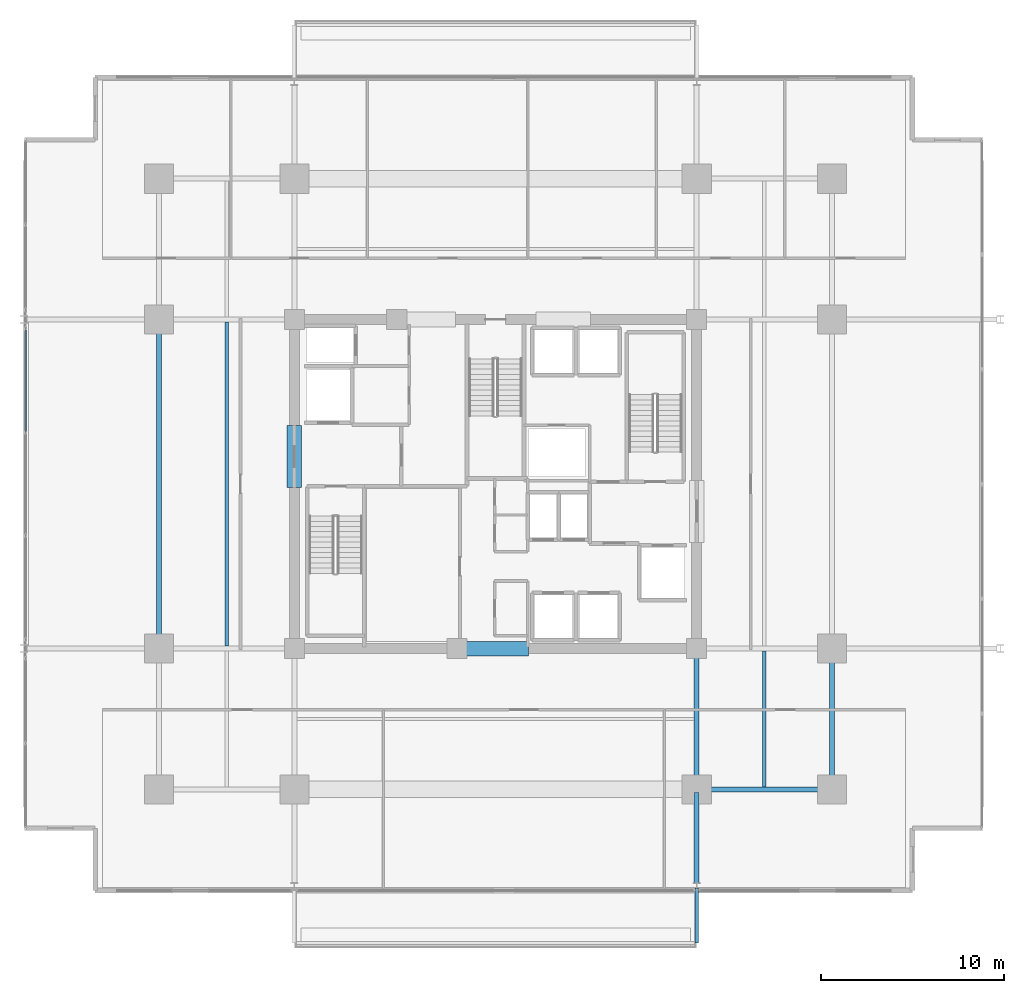
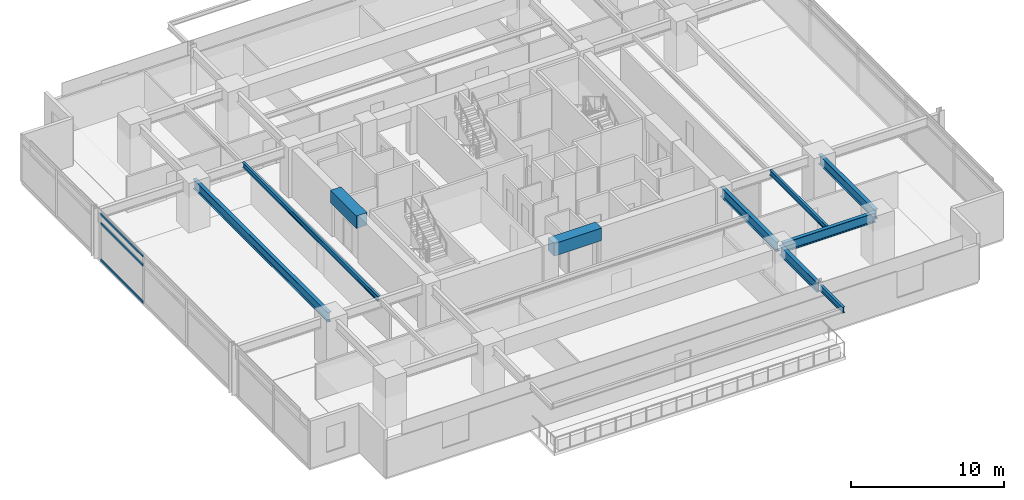
# One storey, part 6 of 21: 10 beams, 3 members, 1 element without a shape of its own.
"""IFC4 building model written with IfcOpenShell, lengths in metres."""

from ifc_helpers import new_model, si_unit, direction, frame, origin, origin_2d, place, context, subcontext, project, spatial, rectangle, hollow_rectangle, i_section, extrude, material, material_profile, profile_set, type_object, element, aggregate, save


model = new_model("IFC4")

# Units and contexts
model_context = context("Model", 3, precision=1e-05, world=origin(), true_north=direction((0.0, 1.0)))
body_context = subcontext(model_context, "Body", "Model", "MODEL_VIEW")
ifc_project = project(units=[si_unit("LENGTHUNIT", "METRE"), si_unit("AREAUNIT", "SQUARE_METRE"), si_unit("VOLUMEUNIT", "CUBIC_METRE"), si_unit("PLANEANGLEUNIT", "RADIAN"), si_unit("MASSUNIT", "GRAM", prefix="KILO")], contexts=[model_context])

# Site, building, storey
site_placement = place(None, origin())
site = spatial("IfcSite", under=ifc_project, at=site_placement, CompositionType="ELEMENT")
building_placement = place(site_placement, origin())
building = spatial("IfcBuilding", under=site, at=building_placement, Name="Kovane Verandah Tower", CompositionType="ELEMENT")
storey_placement = place(building_placement, frame((0.0, 0.0, 152.39990234375)))
storey = spatial("IfcBuildingStorey", under=building, at=storey_placement, Name="L35", CompositionType="ELEMENT", Elevation=152.39990234375)

# Beams
ifc_material_1 = material(Name="Concrete C60/75", Category="concrete")
ifc_material_profile_1 = material_profile(ifc_material_1, rectangle(XDim=0.800048828125, YDim=1.0, at=origin_2d()), Name="RCB800x1000")
ifc_profile_set_1 = profile_set([ifc_material_profile_1], Name="Concrete C60/75")
beam_type_1 = type_object("IfcBeamType", Name="BM-LINTEL-800x1000", PredefinedType="LINTEL", material=ifc_profile_set_1)
beam_1_placement = place(storey_placement, frame((38.199951171875, 18.5, 3.275146484375), z_axis=(1.0, 0.0, 0.0), x_axis=(0.0, 1.0, 0.0)))
element("IfcBeam", 1, at=beam_1_placement, inside=storey, type_object=beam_type_1, Name="L35 Core Coupling Lintel CL-S", PredefinedType="LINTEL", context=body_context, shape_type="SweptSolid", body=[
    extrude(rectangle(XDim=0.800048828125, YDim=1.0, at=origin_2d()), origin(), (0.0, 0.0, 1.0), 3.60009765625),
])
beam_2_placement = place(storey_placement, frame((29.0, 27.300048828125, 3.275146484375), z_axis=(0.0, 1.0, 0.0), x_axis=(-1.0, 0.0, 0.0)))
element("IfcBeam", 2, at=beam_2_placement, inside=storey, type_object=beam_type_1, Name="L35 Core Coupling Lintel CL-W", PredefinedType="LINTEL", context=body_context, shape_type="SweptSolid", body=[
    extrude(rectangle(XDim=0.800048828125, YDim=1.0, at=origin_2d()), origin(), (0.0, 0.0, 1.0), 3.39990234375),
])
ifc_material_2 = material(Name="Steel S355", Category="steel")
ifc_material_profile_2 = material_profile(ifc_material_2, i_section(OverallWidth=0.26806640625, OverallDepth=0.769775390625, WebThickness=0.015625, FlangeThickness=0.025390625, FilletRadius=0.0166015625, at=origin_2d()), Name="UB762x267x197")
ifc_profile_set_2 = profile_set([ifc_material_profile_2], Name="Steel S355")
beam_type_2 = type_object("IfcBeamType", Name="BM-UB762x197", PredefinedType="BEAM", material=ifc_profile_set_2)
beam_3_placement = place(storey_placement, frame((51.179931640625, 10.800048828125, 3.39013671875), z_axis=(1.0, 0.0, 0.0), x_axis=(0.0, 1.0, 0.0)))
element("IfcBeam", 3, at=beam_3_placement, inside=storey, type_object=beam_type_2, Name="L35 Primary Tower Girder G-RS3", PredefinedType="BEAM", context=body_context, shape_type="SweptSolid", body=[
    extrude(i_section(OverallWidth=0.26806640625, OverallDepth=0.769775390625, WebThickness=0.015625, FlangeThickness=0.025390625, FilletRadius=0.0166015625, at=origin_2d()), origin(), (0.0, 0.0, 1.0), 7.0400390625),
])
beam_4_placement = place(storey_placement, frame((21.60009765625, 18.679931640625, 3.39013671875), z_axis=(0.0, 1.0, 0.0), x_axis=(-1.0, 0.0, 0.0)))
element("IfcBeam", 4, at=beam_4_placement, inside=storey, type_object=beam_type_2, Name="L35 Primary Tower Girder G-RW2", PredefinedType="BEAM", context=body_context, shape_type="SweptSolid", body=[
    extrude(i_section(OverallWidth=0.26806640625, OverallDepth=0.769775390625, WebThickness=0.015625, FlangeThickness=0.025390625, FilletRadius=0.0166015625, at=origin_2d()), origin(), (0.0, 0.0, 1.0), 17.64013671875),
])
for number, where, z_axis, x_axis, name in (
    (5, (58.39990234375, 10.97998046875, 3.39013671875), (0.0, 1.0, 0.0), (-1.0, 0.0, 0.0), "L35 Primary Tower Girder G-RE1"),
    (6, (51.0, 18.320068359375, 3.39013671875), (0.0, -1.0, 0.0), (1.0, 0.0, 0.0), "L35 Primary Tower Girder G-S2"),
):
    element("IfcBeam", number, at=place(storey_placement, frame(where, z_axis=z_axis, x_axis=x_axis)), inside=storey, type_object=beam_type_2, Name=name, PredefinedType="BEAM", context=body_context, shape_type="SweptSolid", body=[
        extrude(i_section(OverallWidth=0.26806640625, OverallDepth=0.769775390625, WebThickness=0.015625, FlangeThickness=0.025390625, FilletRadius=0.0166015625, at=origin_2d()), origin(), (0.0, 0.0, 1.0), 7.340087890625),
    ])
beam_5_placement = place(storey_placement, frame((51.0, 10.6201171875, 3.375244140625), z_axis=(0.0, -1.0, 0.0), x_axis=(1.0, 0.0, 0.0)))
element("IfcBeam", 7, at=beam_5_placement, inside=storey, type_object=beam_type_2, Name="L35 Primary Tower Girder G-VS2", PredefinedType="BEAM", context=body_context, shape_type="SweptSolid", body=[
    extrude(i_section(OverallWidth=0.26806640625, OverallDepth=0.769775390625, WebThickness=0.015625, FlangeThickness=0.025390625, FilletRadius=0.0166015625, at=origin_2d()), origin(), (0.0, 0.0, 1.0), 4.940185546875),
])

# Curtain wall, members
ifc_material_3 = material(Name="Champagne Anodised Aluminium Frame with Low-E Clear Laminated Glass", Category="aluminium")
curtain_wall_type = type_object("IfcCurtainWallType", Name="CW-SYS-03-MID", PredefinedType="NOTDEFINED", material=ifc_material_3)
curtain_wall_placement = place(storey_placement, origin())
curtain_wall = element("IfcCurtainWall", 8, at=curtain_wall_placement, inside=storey, type_object=curtain_wall_type, Name="L35 W Unitised Curtain Wall-2", PredefinedType="NOTDEFINED")
ifc_material_4 = material(Name="Champagne Anodised Aluminium 6063-T6", Category="aluminium")
ifc_material_profile_3 = material_profile(ifc_material_4, hollow_rectangle(XDim=0.0849609375, YDim=0.18994140625, WallThickness=0.00390625, at=origin_2d()), Name="AL85x190x4")
ifc_profile_set_3 = profile_set([ifc_material_profile_3], Name="Champagne Anodised Aluminium 6063-T6")
member_type = type_object("IfcMemberType", Name="CW-TRN-85x190", PredefinedType="USERDEFINED", material=ifc_profile_set_3)
member_1_placement = place(storey_placement, frame((14.303955078125, 35.929931640625, 0.050048828125), z_axis=(0.0, -1.0, 0.0), x_axis=(1.0, 0.0, 0.0)))
member_1 = element("IfcMember", 9, at=member_1_placement, type_object=member_type, Name="L35 W Unitised Curtain Wall-2 Transom TB Bay 1", ObjectType="TRANSOM", PredefinedType="USERDEFINED", context=body_context, shape_type="SweptSolid", body=[
    extrude(hollow_rectangle(XDim=0.0849609375, YDim=0.18994140625, WallThickness=0.00390625, at=origin_2d()), origin(), (0.0, 0.0, 1.0), 5.55322265625),
])
member_2_placement = place(storey_placement, frame((14.303955078125, 35.929931640625, 2.9951171875), z_axis=(0.0, -1.0, 0.0), x_axis=(1.0, 0.0, 0.0)))
member_2 = element("IfcMember", 10, at=member_2_placement, type_object=member_type, Name="L35 W Unitised Curtain Wall-2 Transom TM Bay 1", ObjectType="TRANSOM", PredefinedType="USERDEFINED", context=body_context, shape_type="SweptSolid", body=[
    extrude(hollow_rectangle(XDim=0.0849609375, YDim=0.18994140625, WallThickness=0.00390625, at=origin_2d()), origin(), (0.0, 0.0, 1.0), 5.55322265625),
])
member_3_placement = place(storey_placement, frame((14.303955078125, 35.929931640625, 3.72509765625), z_axis=(0.0, -1.0, 0.0), x_axis=(1.0, 0.0, 0.0)))
member_3 = element("IfcMember", 11, at=member_3_placement, type_object=member_type, Name="L35 W Unitised Curtain Wall-2 Transom TT Bay 1", ObjectType="TRANSOM", PredefinedType="USERDEFINED", context=body_context, shape_type="SweptSolid", body=[
    extrude(hollow_rectangle(XDim=0.0849609375, YDim=0.18994140625, WallThickness=0.00390625, at=origin_2d()), origin(), (0.0, 0.0, 1.0), 5.55322265625),
])
aggregate(curtain_wall, [member_1, member_2, member_3])

# Beams
ifc_material_profile_4 = material_profile(ifc_material_2, i_section(OverallWidth=0.179443359375, OverallDepth=0.412841796875, WebThickness=0.009521484375, FlangeThickness=0.01611328125, FilletRadius=0.01025390625, at=origin_2d()), Name="UB406x178x74")
ifc_profile_set_4 = profile_set([ifc_material_profile_4], Name="Steel S355")
beam_type_3 = type_object("IfcBeamType", Name="JST-UB406x74", PredefinedType="JOIST", material=ifc_profile_set_4)
beam_6_placement = place(storey_placement, frame((25.300048828125, 18.632080078125, 3.568603515625), z_axis=(0.0, 1.0, 0.0), x_axis=(-1.0, 0.0, 0.0)))
element("IfcBeam", 12, at=beam_6_placement, inside=storey, type_object=beam_type_3, Name="L35 Secondary Composite Joist J-W1", PredefinedType="JOIST", context=body_context, shape_type="SweptSolid", body=[
    extrude(i_section(OverallWidth=0.179443359375, OverallDepth=0.412841796875, WebThickness=0.009521484375, FlangeThickness=0.01611328125, FilletRadius=0.01025390625, at=origin_2d()), origin(), (0.0, 0.0, 1.0), 17.73583984375),
])
beam_7_placement = place(storey_placement, frame((54.699951171875, 10.931884765625, 3.568603515625), z_axis=(0.0, 1.0, 0.0), x_axis=(-1.0, 0.0, 0.0)))
element("IfcBeam", 13, at=beam_7_placement, inside=storey, type_object=beam_type_3, Name="L35 Secondary Composite Joist J-SE1", PredefinedType="JOIST", context=body_context, shape_type="SweptSolid", body=[
    extrude(i_section(OverallWidth=0.179443359375, OverallDepth=0.412841796875, WebThickness=0.009521484375, FlangeThickness=0.01611328125, FilletRadius=0.01025390625, at=origin_2d()), origin(), (0.0, 0.0, 1.0), 7.43603515625),
])
ifc_material_profile_5 = material_profile(ifc_material_2, i_section(OverallWidth=0.19287109375, OverallDepth=0.46728515625, WebThickness=0.011474609375, FlangeThickness=0.01953125, FilletRadius=0.01025390625, at=origin_2d()), Name="UB457x191x98")
ifc_profile_set_5 = profile_set([ifc_material_profile_5], Name="Steel S355")
beam_type_4 = type_object("IfcBeamType", Name="JST-UB457x98", PredefinedType="JOIST", material=ifc_profile_set_5)
beam_8_placement = place(storey_placement, frame((51.0, 5.419921875, 3.526611328125), z_axis=(0.0, -1.0, 0.0), x_axis=(1.0, 0.0, 0.0)))
element("IfcBeam", 14, at=beam_8_placement, inside=storey, type_object=beam_type_4, Name="L35 South Planter Girder 2", PredefinedType="JOIST", context=body_context, shape_type="SweptSolid", body=[
    extrude(i_section(OverallWidth=0.19287109375, OverallDepth=0.46728515625, WebThickness=0.011474609375, FlangeThickness=0.01953125, FilletRadius=0.01025390625, at=origin_2d()), origin(), (0.0, 0.0, 1.0), 3.01611328125),
])

save(model, "model.ifc")
